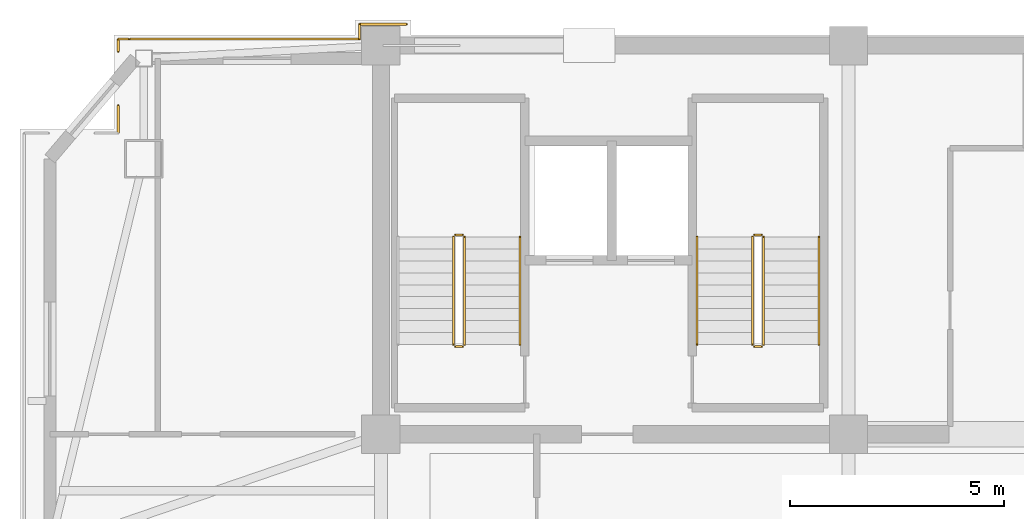
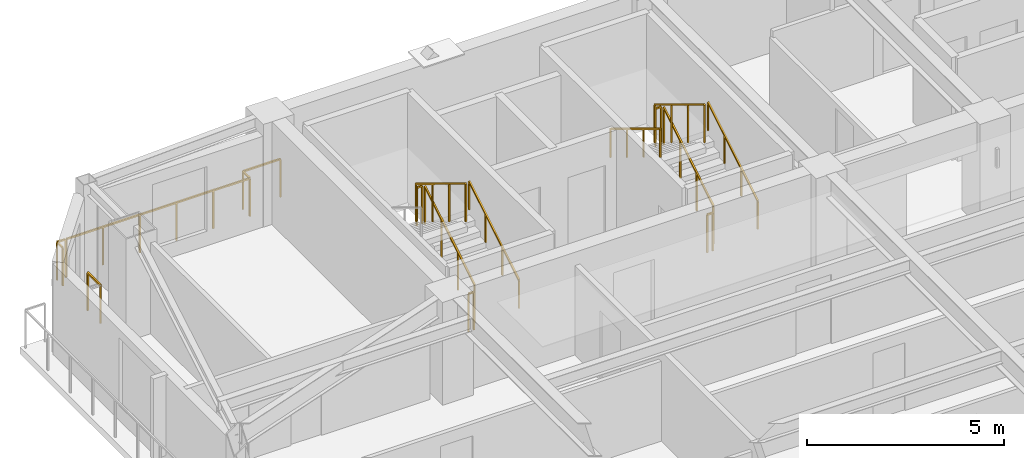
# One storey, part 11 of 12: 17 railings.
"""IFC4 building model written with IfcOpenShell, lengths in metres."""

from ifc_helpers import new_model, si_unit, direction, frame, origin, origin_2d, place, context, subcontext, project, spatial, rectangle, extrude, material, type_object, element, save


model = new_model("IFC4")

# Units and contexts
model_context = context("Model", 3, precision=1e-05, world=origin(), true_north=direction((0.0, 1.0)))
body_context = subcontext(model_context, "Body", "Model", "MODEL_VIEW")
ifc_project = project(units=[si_unit("LENGTHUNIT", "METRE"), si_unit("AREAUNIT", "SQUARE_METRE"), si_unit("VOLUMEUNIT", "CUBIC_METRE"), si_unit("PLANEANGLEUNIT", "RADIAN"), si_unit("MASSUNIT", "GRAM", prefix="KILO")], contexts=[model_context])

# Site, building, storey
site_placement = place(None, origin())
site = spatial("IfcSite", under=ifc_project, at=site_placement, CompositionType="ELEMENT")
building_placement = place(site_placement, origin())
building = spatial("IfcBuilding", under=site, at=building_placement, Name="Giltprow Tower", CompositionType="ELEMENT")
storey_placement = place(building_placement, frame((0.0, 0.0, 345.89990234375)))
storey = spatial("IfcBuildingStorey", under=building, at=storey_placement, Name="L90", CompositionType="ELEMENT", Elevation=345.89990234375)

# Railings
ifc_material = material(Name="Anodized bronze", Category="metal")
railing_type_1 = type_object("IfcRailingType", Name="RAIL-BALC-GUARD-1200", PredefinedType="BALUSTRADE", material=ifc_material)
railing_1_placement = place(storey_placement, frame((13.699951171875, 44.5, 0.0)))
element("IfcRailing", 1, at=railing_1_placement, inside=storey, type_object=railing_type_1, Name="L90 Corner Apron Edge Balustrade 16", PredefinedType="BALUSTRADE", context=body_context, shape_type="SweptSolid", body=[
    extrude(rectangle(XDim=0.048095703125, YDim=0.048095703125, at=origin_2d()), frame((0.0, 0.0, 1.17578125), z_axis=(0.0, 1.0, 0.0), x_axis=(-1.0, 0.0, 0.0)), (0.0, 0.0, 1.0), 0.64697265625),
    extrude(rectangle(XDim=0.0419921875, YDim=0.0419921875, at=origin_2d()), origin(), (0.0, 0.0, 1.0), 1.15185546875),
    extrude(rectangle(XDim=0.0419921875, YDim=0.0419921875, at=origin_2d()), frame((0.0, 0.64697265625, 0.0)), (0.0, 0.0, 1.0), 1.15185546875),
])
railing_2_placement = place(storey_placement, frame((13.699951171875, 46.4130859375, 0.0)))
element("IfcRailing", 2, at=railing_2_placement, inside=storey, type_object=railing_type_1, Name="L90 Corner Apron Edge Balustrade 17", PredefinedType="BALUSTRADE", context=body_context, shape_type="SweptSolid", body=[
    extrude(rectangle(XDim=0.048095703125, YDim=0.048095703125, at=origin_2d()), frame((0.0, 0.0, 1.17578125), z_axis=(0.0, 1.0, 0.0), x_axis=(-1.0, 0.0, 0.0)), (0.0, 0.0, 1.0), 0.286865234375),
    extrude(rectangle(XDim=0.0419921875, YDim=0.0419921875, at=origin_2d()), origin(), (0.0, 0.0, 1.0), 1.15185546875),
    extrude(rectangle(XDim=0.0419921875, YDim=0.0419921875, at=origin_2d()), frame((0.0, 0.286865234375, 0.0)), (0.0, 0.0, 1.0), 1.15185546875),
])
railing_3_placement = place(storey_placement, frame((13.699951171875, 46.699951171875, 0.0)))
element("IfcRailing", 3, at=railing_3_placement, inside=storey, type_object=railing_type_1, Name="L90 Corner Apron Edge Balustrade 18", PredefinedType="BALUSTRADE", context=body_context, shape_type="SweptSolid", body=[
    extrude(rectangle(XDim=0.048095703125, YDim=0.048095703125, at=origin_2d()), frame((0.0, 0.0, 1.17578125), z_axis=(1.0, 0.0, 0.0), x_axis=(0.0, 1.0, 0.0)), (0.0, 0.0, 1.0), 0.2451171875),
    extrude(rectangle(XDim=0.0419921875, YDim=0.0419921875, at=origin_2d()), origin(), (0.0, 0.0, 1.0), 1.15185546875),
    extrude(rectangle(XDim=0.0419921875, YDim=0.0419921875, at=origin_2d()), frame((0.2451171875, 0.0, 0.0)), (0.0, 0.0, 1.0), 1.15185546875),
])
railing_4_placement = place(storey_placement, frame((13.971923828125, 46.699951171875, 0.0)))
element("IfcRailing", 4, at=railing_4_placement, inside=storey, type_object=railing_type_1, Name="L90 Corner Apron Edge Balustrade 19", PredefinedType="BALUSTRADE", context=body_context, shape_type="SweptSolid", body=[
    extrude(rectangle(XDim=0.048095703125, YDim=0.048095703125, at=origin_2d()), frame((0.0, 0.0, 1.17578125), z_axis=(1.0, 0.0, 0.0), x_axis=(0.0, 1.0, 0.0)), (0.0, 0.0, 1.0), 5.378173828125),
    extrude(rectangle(XDim=0.0419921875, YDim=0.0419921875, at=origin_2d()), origin(), (0.0, 0.0, 1.0), 1.15185546875),
    extrude(rectangle(XDim=0.0419921875, YDim=0.0419921875, at=origin_2d()), frame((1.07568359375, 0.0, 0.0)), (0.0, 0.0, 1.0), 1.15185546875),
    extrude(rectangle(XDim=0.0419921875, YDim=0.0419921875, at=origin_2d()), frame((2.1513671875, 0.0, 0.0)), (0.0, 0.0, 1.0), 1.15185546875),
    extrude(rectangle(XDim=0.0419921875, YDim=0.0419921875, at=origin_2d()), frame((3.226806640625, 0.0, 0.0)), (0.0, 0.0, 1.0), 1.15185546875),
    extrude(rectangle(XDim=0.0419921875, YDim=0.0419921875, at=origin_2d()), frame((4.302490234375, 0.0, 0.0)), (0.0, 0.0, 1.0), 1.15185546875),
    extrude(rectangle(XDim=0.0419921875, YDim=0.0419921875, at=origin_2d()), frame((5.378173828125, 0.0, 0.0)), (0.0, 0.0, 1.0), 1.15185546875),
])
railing_5_placement = place(storey_placement, frame((19.35009765625, 46.699951171875, 0.0)))
element("IfcRailing", 5, at=railing_5_placement, inside=storey, type_object=railing_type_1, Name="L90 Corner Apron Edge Balustrade 20", PredefinedType="BALUSTRADE", context=body_context, shape_type="SweptSolid", body=[
    extrude(rectangle(XDim=0.048095703125, YDim=0.048095703125, at=origin_2d()), frame((0.0, 0.0, 1.17578125), z_axis=(0.0, 1.0, 0.0), x_axis=(-1.0, 0.0, 0.0)), (0.0, 0.0, 1.0), 0.35009765625),
    extrude(rectangle(XDim=0.0419921875, YDim=0.0419921875, at=origin_2d()), origin(), (0.0, 0.0, 1.0), 1.15185546875),
    extrude(rectangle(XDim=0.0419921875, YDim=0.0419921875, at=origin_2d()), frame((0.0, 0.35009765625, 0.0)), (0.0, 0.0, 1.0), 1.15185546875),
])
railing_6_placement = place(storey_placement, frame((19.35009765625, 47.050048828125, 0.0)))
element("IfcRailing", 6, at=railing_6_placement, inside=storey, type_object=railing_type_1, Name="L90 Corner Apron Edge Balustrade 21", PredefinedType="BALUSTRADE", context=body_context, shape_type="SweptSolid", body=[
    extrude(rectangle(XDim=0.048095703125, YDim=0.048095703125, at=origin_2d()), frame((0.0, 0.0, 1.17578125), z_axis=(1.0, 0.0, 0.0), x_axis=(0.0, 1.0, 0.0)), (0.0, 0.0, 1.0), 1.099853515625),
    extrude(rectangle(XDim=0.0419921875, YDim=0.0419921875, at=origin_2d()), origin(), (0.0, 0.0, 1.0), 1.15185546875),
    extrude(rectangle(XDim=0.0419921875, YDim=0.0419921875, at=origin_2d()), frame((1.099853515625, 0.0, 0.0)), (0.0, 0.0, 1.0), 1.15185546875),
])
railing_type_2 = type_object("IfcRailingType", Name="RAIL-STAIR-GUARD-1200", PredefinedType="GUARDRAIL", material=ifc_material)
railing_7_placement = place(storey_placement, frame((21.81005859375, 39.550048828125, 0.170166015625)))
element("IfcRailing", 7, at=railing_7_placement, inside=storey, type_object=railing_type_2, Name="L90 ST-1 stair guard 1", PredefinedType="GUARDRAIL", context=body_context, shape_type="SweptSolid", body=[
    extrude(rectangle(XDim=0.048095703125, YDim=0.048095703125, at=origin_2d()), frame((0.0, 0.0, 1.17578125), z_axis=(0.0, 0.85478489116, 0.518982456201), x_axis=(-1.0, 0.0, 0.0)), (0.0, 0.0, 1.0), 2.9482421875),
    extrude(rectangle(XDim=0.0419921875, YDim=0.0419921875, at=origin_2d()), origin(), (0.0, 0.0, 1.0), 1.15185546875),
    extrude(rectangle(XDim=0.0419921875, YDim=0.0419921875, at=origin_2d()), frame((0.0, 0.840087890625, 0.510009765625)), (0.0, 0.0, 1.0), 1.15185546875),
    extrude(rectangle(XDim=0.0419921875, YDim=0.0419921875, at=origin_2d()), frame((0.0, 1.679931640625, 1.02001953125)), (0.0, 0.0, 1.0), 1.15185546875),
    extrude(rectangle(XDim=0.0419921875, YDim=0.0419921875, at=origin_2d()), frame((0.0, 2.52001953125, 1.530029296875)), (0.0, 0.0, 1.0), 1.15185546875),
])
railing_8_placement = place(storey_placement, frame((21.760009765625, 42.1201171875, 1.7001953125)))
element("IfcRailing", 8, at=railing_8_placement, inside=storey, type_object=railing_type_2, Name="L90 ST-1 stair guard 2", PredefinedType="GUARDRAIL", context=body_context, shape_type="SweptSolid", body=[
    extrude(rectangle(XDim=0.048095703125, YDim=0.048095703125, at=origin_2d()), frame((0.0, 0.0, 1.17578125), z_axis=(-1.0, 0.0, 0.0), x_axis=(0.0, -1.0, 0.0)), (0.0, 0.0, 1.0), 0.159912109375),
    extrude(rectangle(XDim=0.0419921875, YDim=0.0419921875, at=origin_2d()), origin(), (0.0, 0.0, 1.0), 1.15185546875),
    extrude(rectangle(XDim=0.0419921875, YDim=0.0419921875, at=origin_2d()), frame((-0.159912109375, 0.0, 0.0)), (0.0, 0.0, 1.0), 1.15185546875),
])
railing_9_placement = place(storey_placement, frame((21.550048828125, 42.070068359375, 1.8701171875)))
element("IfcRailing", 9, at=railing_9_placement, inside=storey, type_object=railing_type_2, Name="L90 ST-1 stair guard 3", PredefinedType="GUARDRAIL", context=body_context, shape_type="SweptSolid", body=[
    extrude(rectangle(XDim=0.048095703125, YDim=0.048095703125, at=origin_2d()), frame((0.0, 0.0, 1.17578125), z_axis=(0.0, -0.85478489116, 0.518982456201), x_axis=(1.0, 0.0, 0.0)), (0.0, 0.0, 1.0), 2.9482421875),
    extrude(rectangle(XDim=0.0419921875, YDim=0.0419921875, at=origin_2d()), origin(), (0.0, 0.0, 1.0), 1.15185546875),
    extrude(rectangle(XDim=0.0419921875, YDim=0.0419921875, at=origin_2d()), frame((0.0, -0.840087890625, 0.510009765625)), (0.0, 0.0, 1.0), 1.15185546875),
    extrude(rectangle(XDim=0.0419921875, YDim=0.0419921875, at=origin_2d()), frame((0.0, -1.679931640625, 1.02001953125)), (0.0, 0.0, 1.0), 1.15185546875),
    extrude(rectangle(XDim=0.0419921875, YDim=0.0419921875, at=origin_2d()), frame((0.0, -2.52001953125, 1.530029296875)), (0.0, 0.0, 1.0), 1.15185546875),
])
railing_10_placement = place(storey_placement, frame((21.760009765625, 39.5, 0.0)))
element("IfcRailing", 10, at=railing_10_placement, inside=storey, type_object=railing_type_2, Name="L90 ST-1 stair guard 4", PredefinedType="GUARDRAIL", context=body_context, shape_type="SweptSolid", body=[
    extrude(rectangle(XDim=0.048095703125, YDim=0.048095703125, at=origin_2d()), frame((0.0, 0.0, 1.17578125), z_axis=(-1.0, 0.0, 0.0), x_axis=(0.0, -1.0, 0.0)), (0.0, 0.0, 1.0), 0.159912109375),
    extrude(rectangle(XDim=0.0419921875, YDim=0.0419921875, at=origin_2d()), origin(), (0.0, 0.0, 1.0), 1.15185546875),
    extrude(rectangle(XDim=0.0419921875, YDim=0.0419921875, at=origin_2d()), frame((-0.159912109375, 0.0, 0.0)), (0.0, 0.0, 1.0), 1.15185546875),
])
railing_11_placement = place(storey_placement, frame((28.81005859375, 39.550048828125, 0.170166015625)))
element("IfcRailing", 11, at=railing_11_placement, inside=storey, type_object=railing_type_2, Name="L90 ST-2 stair guard 1", PredefinedType="GUARDRAIL", context=body_context, shape_type="SweptSolid", body=[
    extrude(rectangle(XDim=0.048095703125, YDim=0.048095703125, at=origin_2d()), frame((0.0, 0.0, 1.17578125), z_axis=(0.0, 0.85478489116, 0.518982456201), x_axis=(-1.0, 0.0, 0.0)), (0.0, 0.0, 1.0), 2.9482421875),
    extrude(rectangle(XDim=0.0419921875, YDim=0.0419921875, at=origin_2d()), origin(), (0.0, 0.0, 1.0), 1.15185546875),
    extrude(rectangle(XDim=0.0419921875, YDim=0.0419921875, at=origin_2d()), frame((0.0, 0.840087890625, 0.510009765625)), (0.0, 0.0, 1.0), 1.15185546875),
    extrude(rectangle(XDim=0.0419921875, YDim=0.0419921875, at=origin_2d()), frame((0.0, 1.679931640625, 1.02001953125)), (0.0, 0.0, 1.0), 1.15185546875),
    extrude(rectangle(XDim=0.0419921875, YDim=0.0419921875, at=origin_2d()), frame((0.0, 2.52001953125, 1.530029296875)), (0.0, 0.0, 1.0), 1.15185546875),
])
railing_12_placement = place(storey_placement, frame((28.760009765625, 42.1201171875, 1.7001953125)))
element("IfcRailing", 12, at=railing_12_placement, inside=storey, type_object=railing_type_2, Name="L90 ST-2 stair guard 2", PredefinedType="GUARDRAIL", context=body_context, shape_type="SweptSolid", body=[
    extrude(rectangle(XDim=0.048095703125, YDim=0.048095703125, at=origin_2d()), frame((0.0, 0.0, 1.17578125), z_axis=(-1.0, 0.0, 0.0), x_axis=(0.0, -1.0, 0.0)), (0.0, 0.0, 1.0), 0.159912109375),
    extrude(rectangle(XDim=0.0419921875, YDim=0.0419921875, at=origin_2d()), origin(), (0.0, 0.0, 1.0), 1.15185546875),
    extrude(rectangle(XDim=0.0419921875, YDim=0.0419921875, at=origin_2d()), frame((-0.159912109375, 0.0, 0.0)), (0.0, 0.0, 1.0), 1.15185546875),
])
railing_13_placement = place(storey_placement, frame((28.550048828125, 42.070068359375, 1.8701171875)))
element("IfcRailing", 13, at=railing_13_placement, inside=storey, type_object=railing_type_2, Name="L90 ST-2 stair guard 3", PredefinedType="GUARDRAIL", context=body_context, shape_type="SweptSolid", body=[
    extrude(rectangle(XDim=0.048095703125, YDim=0.048095703125, at=origin_2d()), frame((0.0, 0.0, 1.17578125), z_axis=(0.0, -0.85478489116, 0.518982456201), x_axis=(1.0, 0.0, 0.0)), (0.0, 0.0, 1.0), 2.9482421875),
    extrude(rectangle(XDim=0.0419921875, YDim=0.0419921875, at=origin_2d()), origin(), (0.0, 0.0, 1.0), 1.15185546875),
    extrude(rectangle(XDim=0.0419921875, YDim=0.0419921875, at=origin_2d()), frame((0.0, -0.840087890625, 0.510009765625)), (0.0, 0.0, 1.0), 1.15185546875),
    extrude(rectangle(XDim=0.0419921875, YDim=0.0419921875, at=origin_2d()), frame((0.0, -1.679931640625, 1.02001953125)), (0.0, 0.0, 1.0), 1.15185546875),
    extrude(rectangle(XDim=0.0419921875, YDim=0.0419921875, at=origin_2d()), frame((0.0, -2.52001953125, 1.530029296875)), (0.0, 0.0, 1.0), 1.15185546875),
])
railing_14_placement = place(storey_placement, frame((28.760009765625, 39.5, 0.0)))
element("IfcRailing", 14, at=railing_14_placement, inside=storey, type_object=railing_type_2, Name="L90 ST-2 stair guard 4", PredefinedType="GUARDRAIL", context=body_context, shape_type="SweptSolid", body=[
    extrude(rectangle(XDim=0.048095703125, YDim=0.048095703125, at=origin_2d()), frame((0.0, 0.0, 1.17578125), z_axis=(-1.0, 0.0, 0.0), x_axis=(0.0, -1.0, 0.0)), (0.0, 0.0, 1.0), 0.159912109375),
    extrude(rectangle(XDim=0.0419921875, YDim=0.0419921875, at=origin_2d()), origin(), (0.0, 0.0, 1.0), 1.15185546875),
    extrude(rectangle(XDim=0.0419921875, YDim=0.0419921875, at=origin_2d()), frame((-0.159912109375, 0.0, 0.0)), (0.0, 0.0, 1.0), 1.15185546875),
])
railing_type_3 = type_object("IfcRailingType", Name="RAIL-STAIR-HAND-900", PredefinedType="HANDRAIL", material=ifc_material)
for number, where, name in (
    (15, (23.110107421875, 39.550048828125, 0.170166015625), "L90 ST-1 stair handrail 1"),
    (16, (30.110107421875, 39.550048828125, 0.170166015625), "L90 ST-2 stair handrail 1"),
):
    element("IfcRailing", number, at=place(storey_placement, frame(where)), inside=storey, type_object=railing_type_3, Name=name, PredefinedType="HANDRAIL", context=body_context, shape_type="SweptSolid", body=[
        extrude(rectangle(XDim=0.048095703125, YDim=0.048095703125, at=origin_2d()), frame((0.0, 0.0, 0.8759765625), z_axis=(0.0, 0.85478489116, 0.518982456201), x_axis=(-1.0, 0.0, 0.0)), (0.0, 0.0, 1.0), 2.9482421875),
        extrude(rectangle(XDim=0.0419921875, YDim=0.0419921875, at=origin_2d()), origin(), (0.0, 0.0, 1.0), 0.851806640625),
        extrude(rectangle(XDim=0.0419921875, YDim=0.0419921875, at=origin_2d()), frame((0.0, 0.840087890625, 0.510009765625)), (0.0, 0.0, 1.0), 0.851806640625),
        extrude(rectangle(XDim=0.0419921875, YDim=0.0419921875, at=origin_2d()), frame((0.0, 1.679931640625, 1.02001953125)), (0.0, 0.0, 1.0), 0.851806640625),
        extrude(rectangle(XDim=0.0419921875, YDim=0.0419921875, at=origin_2d()), frame((0.0, 2.52001953125, 1.530029296875)), (0.0, 0.0, 1.0), 0.851806640625),
    ])
railing_15_placement = place(storey_placement, frame((27.25, 42.070068359375, 1.8701171875)))
element("IfcRailing", 17, at=railing_15_placement, inside=storey, type_object=railing_type_3, Name="L90 ST-2 stair handrail 2", PredefinedType="HANDRAIL", context=body_context, shape_type="SweptSolid", body=[
    extrude(rectangle(XDim=0.048095703125, YDim=0.048095703125, at=origin_2d()), frame((0.0, 0.0, 0.8759765625), z_axis=(0.0, -0.85478489116, 0.518982456201), x_axis=(1.0, 0.0, 0.0)), (0.0, 0.0, 1.0), 2.9482421875),
    extrude(rectangle(XDim=0.0419921875, YDim=0.0419921875, at=origin_2d()), origin(), (0.0, 0.0, 1.0), 0.851806640625),
    extrude(rectangle(XDim=0.0419921875, YDim=0.0419921875, at=origin_2d()), frame((0.0, -0.840087890625, 0.510009765625)), (0.0, 0.0, 1.0), 0.851806640625),
    extrude(rectangle(XDim=0.0419921875, YDim=0.0419921875, at=origin_2d()), frame((0.0, -1.679931640625, 1.02001953125)), (0.0, 0.0, 1.0), 0.851806640625),
    extrude(rectangle(XDim=0.0419921875, YDim=0.0419921875, at=origin_2d()), frame((0.0, -2.52001953125, 1.530029296875)), (0.0, 0.0, 1.0), 0.851806640625),
])

save(model, "model.ifc")
